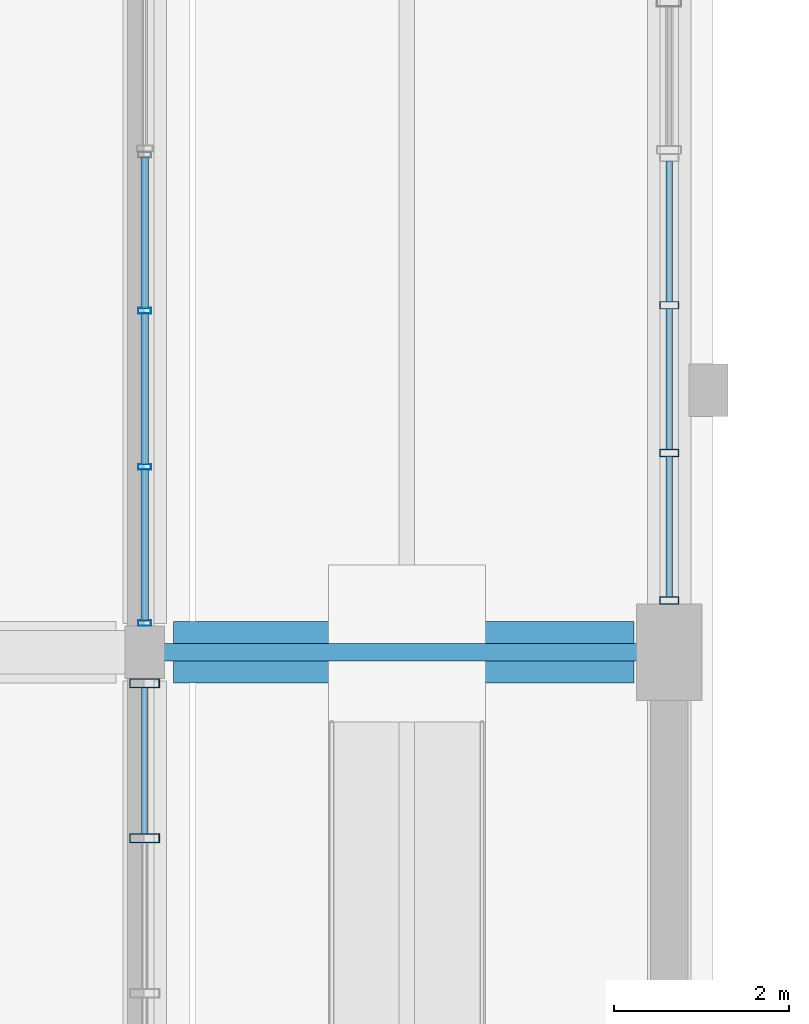
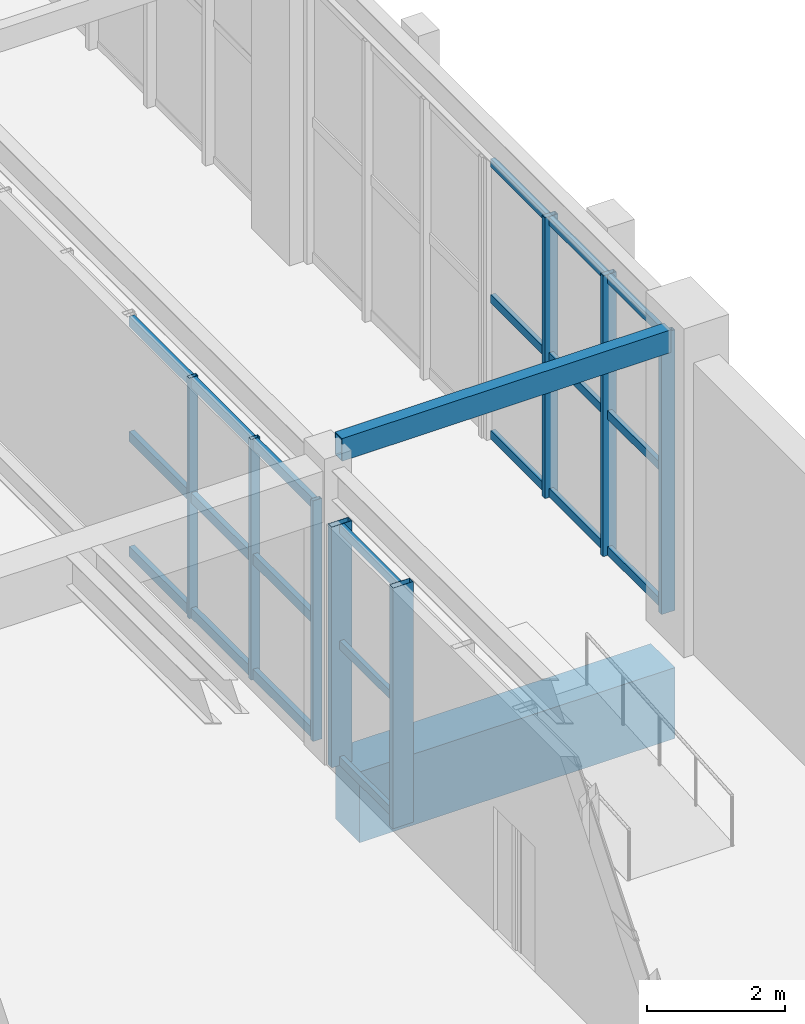
# One storey, part 29 of 113: 29 members, 2 beams, 3 elements without a shape of their own.
"""IFC4 building model written with IfcOpenShell, lengths in metres."""

from ifc_helpers import new_model, si_unit, direction, frame, origin, origin_2d, place, context, subcontext, project, spatial, rectangle, hollow_rectangle, extrude, material, layer, layer_set, material_profile, profile_set, type_object, element, aggregate, save


model = new_model("IFC4")

# Units and contexts
model_context = context("Model", 3, precision=1e-05, world=origin(), true_north=direction((0.0, 1.0)))
body_context = subcontext(model_context, "Body", "Model", "MODEL_VIEW")
ifc_project = project(units=[si_unit("LENGTHUNIT", "METRE"), si_unit("AREAUNIT", "SQUARE_METRE"), si_unit("VOLUMEUNIT", "CUBIC_METRE"), si_unit("PLANEANGLEUNIT", "RADIAN"), si_unit("MASSUNIT", "GRAM", prefix="KILO"), si_unit("POWERUNIT", "WATT"), si_unit("THERMODYNAMICTEMPERATUREUNIT", "KELVIN")], contexts=[model_context])

# Site, building, storey
site_placement = place(None, origin())
site = spatial("IfcSite", under=ifc_project, at=site_placement, CompositionType="ELEMENT")
building_placement = place(site_placement, origin())
building = spatial("IfcBuilding", under=site, at=building_placement, Name="Kelmbourne Parkland Aquatics Centre", CompositionType="ELEMENT")
storey_placement = place(building_placement, origin())
storey = spatial("IfcBuildingStorey", under=building, at=storey_placement, Name="L00", CompositionType="ELEMENT", Elevation=0.0)

# Beams
ifc_material_1 = material(Name="Concrete C50/60", Category="concrete")
ifc_material_profile_1 = material_profile(ifc_material_1, rectangle(XDim=0.699951171875, YDim=1.25, at=origin_2d()), Name="RC 700x1250")
ifc_profile_set_1 = profile_set([ifc_material_profile_1], Name="Concrete C50/60")
beam_type_1 = type_object("IfcBeamType", Name="BM-G08", PredefinedType="BEAM", material=ifc_profile_set_1)
beam_1_placement = place(storey_placement, frame((40.330078125, 35.0, -0.905029296875), z_axis=(1.0, 0.0, 0.0), x_axis=(0.0, 1.0, 0.0)))
element("IfcBeam", 1, at=beam_1_placement, inside=storey, type_object=beam_type_1, Name="Primary girder F-G Grid 05 (L00)", PredefinedType="BEAM", context=body_context, shape_type="SweptSolid", body=[
    extrude(rectangle(XDim=0.699951171875, YDim=1.25, at=origin_2d()), origin(), (0.0, 0.0, 1.0), 5.264892578125),
])
ifc_material_2 = material(Name="Cold-formed hollow steel AS/NZS 1163 C350L0", Category="steel")
ifc_material_profile_2 = material_profile(ifc_material_2, hollow_rectangle(XDim=0.199951171875, YDim=0.39990234375, WallThickness=0.012451171875, at=origin_2d()), Name="RHS 400x200x12.5")
ifc_profile_set_2 = profile_set([ifc_material_profile_2], Name="Cold-formed hollow steel AS/NZS 1163 C350L0")
beam_type_2 = type_object("IfcBeamType", Name="BM-SP03", PredefinedType="SPANDREL", material=ifc_profile_set_2)
beam_2_placement = place(storey_placement, frame((40.179931640625, 35.0, 5.300048828125), z_axis=(1.0, 0.0, 0.0), x_axis=(0.0, 1.0, 0.0)))
element("IfcBeam", 2, at=beam_2_placement, inside=storey, type_object=beam_type_2, Name="Colonnade cross spandrel F-G Grid 05", PredefinedType="SPANDREL", context=body_context, shape_type="SweptSolid", body=[
    extrude(hollow_rectangle(XDim=0.199951171875, YDim=0.39990234375, WallThickness=0.012451171875, at=origin_2d()), origin(), (0.0, 0.0, 1.0), 5.489990234375),
])

# Curtain wall, members
ifc_material_3 = material(Name="Thermally broken anodised aluminium framing", Category="aluminium")
ifc_layer_1 = layer(ifc_material_3, 0.179931640625)
ifc_layer_set_1 = layer_set([ifc_layer_1], Name="Thermally broken anodised aluminium framing")
curtain_wall_type_1 = type_object("IfcCurtainWallType", Name="CW-23", PredefinedType="NOTDEFINED", material=ifc_layer_set_1)
curtain_wall_1_placement = place(storey_placement, origin())
curtain_wall_1 = element("IfcCurtainWall", 3, at=curtain_wall_1_placement, inside=storey, type_object=curtain_wall_type_1, Name="Facade curtain wall CW-L00-215", PredefinedType="NOTDEFINED")
ifc_material_profile_3 = material_profile(ifc_material_3, hollow_rectangle(XDim=0.06494140625, YDim=0.14990234375, WallThickness=0.00390625, at=origin_2d()), Name="CW-M 65x150")
ifc_profile_set_3 = profile_set([ifc_material_profile_3], Name="Thermally broken anodised aluminium framing")
member_type_1 = type_object("IfcMemberType", Name="MB-MUL-1", PredefinedType="MULLION", material=ifc_profile_set_3)
member_1_placement = place(storey_placement, frame((40.0, 35.33447265625, 0.0), z_axis=(0.0, 0.0, 1.0), x_axis=(0.0, 1.0, 0.0)))
member_1 = element("IfcMember", 4, at=member_1_placement, type_object=member_type_1, Name="CW-L00-215 mullion 0", PredefinedType="MULLION", context=body_context, shape_type="SweptSolid", body=[
    extrude(hollow_rectangle(XDim=0.06494140625, YDim=0.14990234375, WallThickness=0.00390625, at=origin_2d()), origin(), (0.0, 0.0, 1.0), 4.2451171875),
])
member_2_placement = place(storey_placement, frame((40.0, 37.12060546875, 0.0), z_axis=(0.0, 0.0, 1.0), x_axis=(0.0, 1.0, 0.0)))
member_2 = element("IfcMember", 5, at=member_2_placement, type_object=member_type_1, Name="CW-L00-215 mullion 1", PredefinedType="MULLION", context=body_context, shape_type="SweptSolid", body=[
    extrude(hollow_rectangle(XDim=0.06494140625, YDim=0.14990234375, WallThickness=0.00390625, at=origin_2d()), origin(), (0.0, 0.0, 1.0), 4.2451171875),
])
member_3_placement = place(storey_placement, frame((40.0, 38.906494140625, 0.0), z_axis=(0.0, 0.0, 1.0), x_axis=(0.0, 1.0, 0.0)))
member_3 = element("IfcMember", 6, at=member_3_placement, type_object=member_type_1, Name="CW-L00-215 mullion 2", PredefinedType="MULLION", context=body_context, shape_type="SweptSolid", body=[
    extrude(hollow_rectangle(XDim=0.06494140625, YDim=0.14990234375, WallThickness=0.00390625, at=origin_2d()), origin(), (0.0, 0.0, 1.0), 4.2451171875),
])

ifc_layer_2 = layer(ifc_material_3, 0.179931640625)
ifc_layer_set_2 = layer_set([ifc_layer_2], Name="Thermally broken anodised aluminium framing")
curtain_wall_type_2 = type_object("IfcCurtainWallType", Name="CW-04", PredefinedType="NOTDEFINED", material=ifc_layer_set_2)
curtain_wall_2_placement = place(storey_placement, origin())
curtain_wall_2 = element("IfcCurtainWall", 7, at=curtain_wall_2_placement, inside=storey, type_object=curtain_wall_type_2, Name="Facade curtain wall CW-L00-172", PredefinedType="NOTDEFINED")
ifc_material_profile_4 = material_profile(ifc_material_3, hollow_rectangle(XDim=0.0849609375, YDim=0.219970703125, WallThickness=0.0048828125, at=origin_2d()), Name="CW-M 85x220")
ifc_profile_set_4 = profile_set([ifc_material_profile_4], Name="Thermally broken anodised aluminium framing")
member_type_2 = type_object("IfcMemberType", Name="MB-MUL-3", PredefinedType="MULLION", material=ifc_profile_set_4)
member_4_placement = place(storey_placement, frame((46.0, 35.594482421875, 0.0), z_axis=(0.0, 0.0, 1.0), x_axis=(0.0, 1.0, 0.0)))
member_4 = element("IfcMember", 8, at=member_4_placement, type_object=member_type_2, Name="CW-L00-172 mullion 0", PredefinedType="MULLION", context=body_context, shape_type="SweptSolid", body=[
    extrude(hollow_rectangle(XDim=0.0849609375, YDim=0.219970703125, WallThickness=0.0048828125, at=origin_2d()), origin(), (0.0, 0.0, 1.0), 4.951904296875),
])
member_5_placement = place(storey_placement, frame((46.0, 37.2822265625, 0.0), z_axis=(0.0, 0.0, 1.0), x_axis=(0.0, 1.0, 0.0)))
member_5 = element("IfcMember", 9, at=member_5_placement, type_object=member_type_2, Name="CW-L00-172 mullion 1", PredefinedType="MULLION", context=body_context, shape_type="SweptSolid", body=[
    extrude(hollow_rectangle(XDim=0.0849609375, YDim=0.219970703125, WallThickness=0.0048828125, at=origin_2d()), origin(), (0.0, 0.0, 1.0), 4.951904296875),
])
member_6_placement = place(storey_placement, frame((46.0, 38.9697265625, 0.0), z_axis=(0.0, 0.0, 1.0), x_axis=(0.0, 1.0, 0.0)))
member_6 = element("IfcMember", 10, at=member_6_placement, type_object=member_type_2, Name="CW-L00-172 mullion 2", PredefinedType="MULLION", context=body_context, shape_type="SweptSolid", body=[
    extrude(hollow_rectangle(XDim=0.0849609375, YDim=0.219970703125, WallThickness=0.0048828125, at=origin_2d()), origin(), (0.0, 0.0, 1.0), 4.951904296875),
])

ifc_layer_3 = layer(ifc_material_3, 0.179931640625)
ifc_layer_set_3 = layer_set([ifc_layer_3], Name="Thermally broken anodised aluminium framing")
curtain_wall_type_3 = type_object("IfcCurtainWallType", Name="CW-22", PredefinedType="NOTDEFINED", material=ifc_layer_set_3)
curtain_wall_3_placement = place(storey_placement, origin())
curtain_wall_3 = element("IfcCurtainWall", 11, at=curtain_wall_3_placement, inside=storey, type_object=curtain_wall_type_3, Name="Facade curtain wall CW-L00-214", PredefinedType="NOTDEFINED")
ifc_material_profile_5 = material_profile(ifc_material_3, hollow_rectangle(XDim=0.10498046875, YDim=0.340087890625, WallThickness=0.006103515625, at=origin_2d()), Name="CW-M 105x340")
ifc_profile_set_5 = profile_set([ifc_material_profile_5], Name="Thermally broken anodised aluminium framing")
member_type_3 = type_object("IfcMemberType", Name="MB-MUL-5", PredefinedType="MULLION", material=ifc_profile_set_5)
member_7_placement = place(storey_placement, frame((40.0, 32.872802734375, 0.0), z_axis=(0.0, 0.0, 1.0), x_axis=(0.0, 1.0, 0.0)))
member_7 = element("IfcMember", 12, at=member_7_placement, type_object=member_type_3, Name="CW-L00-214 mullion 2", PredefinedType="MULLION", context=body_context, shape_type="SweptSolid", body=[
    extrude(hollow_rectangle(XDim=0.10498046875, YDim=0.340087890625, WallThickness=0.006103515625, at=origin_2d()), origin(), (0.0, 0.0, 1.0), 4.2451171875),
])
member_8_placement = place(storey_placement, frame((40.0, 34.6455078125, 0.0), z_axis=(0.0, 0.0, 1.0), x_axis=(0.0, 1.0, 0.0)))
member_8 = element("IfcMember", 13, at=member_8_placement, type_object=member_type_3, Name="CW-L00-214 mullion 3", PredefinedType="MULLION", context=body_context, shape_type="SweptSolid", body=[
    extrude(hollow_rectangle(XDim=0.10498046875, YDim=0.340087890625, WallThickness=0.006103515625, at=origin_2d()), origin(), (0.0, 0.0, 1.0), 4.2451171875),
])

# Member
ifc_material_profile_6 = material_profile(ifc_material_3, hollow_rectangle(XDim=0.074951171875, YDim=0.14990234375, WallThickness=0.00390625, at=origin_2d()), Name="CW-T 75x150")
ifc_profile_set_6 = profile_set([ifc_material_profile_6], Name="Thermally broken anodised aluminium framing")
member_type_4 = type_object("IfcMemberType", Name="MB-TRN-2", PredefinedType="USERDEFINED", material=ifc_profile_set_6)
member_9_placement = place(storey_placement, frame((46.0, 35.633056640625, 0.077880859375), z_axis=(0.0, 1.0, 0.0), x_axis=(-1.0, 0.0, 0.0)))
member_9 = element("IfcMember", 14, at=member_9_placement, type_object=member_type_4, Name="CW-L00-172 transom 0-0", ObjectType="TRANSOM", PredefinedType="USERDEFINED", context=body_context, shape_type="SweptSolid", body=[
    extrude(hollow_rectangle(XDim=0.074951171875, YDim=0.14990234375, WallThickness=0.00390625, at=origin_2d()), origin(), (0.0, 0.0, 1.0), 1.610595703125),
])

member_10_placement = place(storey_placement, frame((46.0, 37.32080078125, 0.077880859375), z_axis=(0.0, 1.0, 0.0), x_axis=(-1.0, 0.0, 0.0)))
member_10 = element("IfcMember", 15, at=member_10_placement, type_object=member_type_4, Name="CW-L00-172 transom 0-1", ObjectType="TRANSOM", PredefinedType="USERDEFINED", context=body_context, shape_type="SweptSolid", body=[
    extrude(hollow_rectangle(XDim=0.074951171875, YDim=0.14990234375, WallThickness=0.00390625, at=origin_2d()), origin(), (0.0, 0.0, 1.0), 1.610595703125),
])

member_11_placement = place(storey_placement, frame((46.0, 39.00830078125, 0.077880859375), z_axis=(0.0, 1.0, 0.0), x_axis=(-1.0, 0.0, 0.0)))
member_11 = element("IfcMember", 16, at=member_11_placement, type_object=member_type_4, Name="CW-L00-172 transom 0-2", ObjectType="TRANSOM", PredefinedType="USERDEFINED", context=body_context, shape_type="SweptSolid", body=[
    extrude(hollow_rectangle(XDim=0.074951171875, YDim=0.14990234375, WallThickness=0.00390625, at=origin_2d()), origin(), (0.0, 0.0, 1.0), 1.610595703125),
])

member_12_placement = place(storey_placement, frame((46.0, 35.633056640625, 2.47607421875), z_axis=(0.0, 1.0, 0.0), x_axis=(-1.0, 0.0, 0.0)))
member_12 = element("IfcMember", 17, at=member_12_placement, type_object=member_type_4, Name="CW-L00-172 transom 1-0", ObjectType="TRANSOM", PredefinedType="USERDEFINED", context=body_context, shape_type="SweptSolid", body=[
    extrude(hollow_rectangle(XDim=0.074951171875, YDim=0.14990234375, WallThickness=0.00390625, at=origin_2d()), origin(), (0.0, 0.0, 1.0), 1.610595703125),
])

member_13_placement = place(storey_placement, frame((46.0, 37.32080078125, 2.47607421875), z_axis=(0.0, 1.0, 0.0), x_axis=(-1.0, 0.0, 0.0)))
member_13 = element("IfcMember", 18, at=member_13_placement, type_object=member_type_4, Name="CW-L00-172 transom 1-1", ObjectType="TRANSOM", PredefinedType="USERDEFINED", context=body_context, shape_type="SweptSolid", body=[
    extrude(hollow_rectangle(XDim=0.074951171875, YDim=0.14990234375, WallThickness=0.00390625, at=origin_2d()), origin(), (0.0, 0.0, 1.0), 1.610595703125),
])

member_14_placement = place(storey_placement, frame((46.0, 39.00830078125, 2.47607421875), z_axis=(0.0, 1.0, 0.0), x_axis=(-1.0, 0.0, 0.0)))
member_14 = element("IfcMember", 19, at=member_14_placement, type_object=member_type_4, Name="CW-L00-172 transom 1-2", ObjectType="TRANSOM", PredefinedType="USERDEFINED", context=body_context, shape_type="SweptSolid", body=[
    extrude(hollow_rectangle(XDim=0.074951171875, YDim=0.14990234375, WallThickness=0.00390625, at=origin_2d()), origin(), (0.0, 0.0, 1.0), 1.610595703125),
])

member_15_placement = place(storey_placement, frame((46.0, 35.633056640625, 4.8740234375), z_axis=(0.0, 1.0, 0.0), x_axis=(-1.0, 0.0, 0.0)))
member_15 = element("IfcMember", 20, at=member_15_placement, type_object=member_type_4, Name="CW-L00-172 transom 2-0", ObjectType="TRANSOM", PredefinedType="USERDEFINED", context=body_context, shape_type="SweptSolid", body=[
    extrude(hollow_rectangle(XDim=0.074951171875, YDim=0.14990234375, WallThickness=0.00390625, at=origin_2d()), origin(), (0.0, 0.0, 1.0), 1.610595703125),
])

member_16_placement = place(storey_placement, frame((46.0, 37.32080078125, 4.8740234375), z_axis=(0.0, 1.0, 0.0), x_axis=(-1.0, 0.0, 0.0)))
member_16 = element("IfcMember", 21, at=member_16_placement, type_object=member_type_4, Name="CW-L00-172 transom 2-1", ObjectType="TRANSOM", PredefinedType="USERDEFINED", context=body_context, shape_type="SweptSolid", body=[
    extrude(hollow_rectangle(XDim=0.074951171875, YDim=0.14990234375, WallThickness=0.00390625, at=origin_2d()), origin(), (0.0, 0.0, 1.0), 1.610595703125),
])

member_17_placement = place(storey_placement, frame((46.0, 39.00830078125, 4.8740234375), z_axis=(0.0, 1.0, 0.0), x_axis=(-1.0, 0.0, 0.0)))
member_17 = element("IfcMember", 22, at=member_17_placement, type_object=member_type_4, Name="CW-L00-172 transom 2-2", ObjectType="TRANSOM", PredefinedType="USERDEFINED", context=body_context, shape_type="SweptSolid", body=[
    extrude(hollow_rectangle(XDim=0.074951171875, YDim=0.14990234375, WallThickness=0.00390625, at=origin_2d()), origin(), (0.0, 0.0, 1.0), 1.610595703125),
])

aggregate(curtain_wall_2, [member_4, member_5, member_6, member_9, member_10, member_11, member_12, member_13, member_14, member_15, member_16, member_17])

member_18_placement = place(storey_placement, frame((40.0, 32.92138671875, 0.077880859375), z_axis=(0.0, 1.0, 0.0), x_axis=(-1.0, 0.0, 0.0)))
member_18 = element("IfcMember", 23, at=member_18_placement, type_object=member_type_4, Name="CW-L00-214 transom 0-2", ObjectType="TRANSOM", PredefinedType="USERDEFINED", context=body_context, shape_type="SweptSolid", body=[
    extrude(hollow_rectangle(XDim=0.074951171875, YDim=0.14990234375, WallThickness=0.00390625, at=origin_2d()), origin(), (0.0, 0.0, 1.0), 1.675537109375),
])

member_19_placement = place(storey_placement, frame((40.0, 32.92138671875, 2.12255859375), z_axis=(0.0, 1.0, 0.0), x_axis=(-1.0, 0.0, 0.0)))
member_19 = element("IfcMember", 24, at=member_19_placement, type_object=member_type_4, Name="CW-L00-214 transom 1-2", ObjectType="TRANSOM", PredefinedType="USERDEFINED", context=body_context, shape_type="SweptSolid", body=[
    extrude(hollow_rectangle(XDim=0.074951171875, YDim=0.14990234375, WallThickness=0.00390625, at=origin_2d()), origin(), (0.0, 0.0, 1.0), 1.675537109375),
])

member_20_placement = place(storey_placement, frame((40.0, 32.92138671875, 4.1669921875), z_axis=(0.0, 1.0, 0.0), x_axis=(-1.0, 0.0, 0.0)))
member_20 = element("IfcMember", 25, at=member_20_placement, type_object=member_type_4, Name="CW-L00-214 transom 2-2", ObjectType="TRANSOM", PredefinedType="USERDEFINED", context=body_context, shape_type="SweptSolid", body=[
    extrude(hollow_rectangle(XDim=0.074951171875, YDim=0.14990234375, WallThickness=0.00390625, at=origin_2d()), origin(), (0.0, 0.0, 1.0), 1.675537109375),
])

aggregate(curtain_wall_3, [member_7, member_8, member_18, member_19, member_20])

ifc_material_profile_7 = material_profile(ifc_material_3, hollow_rectangle(XDim=0.0849609375, YDim=0.179931640625, WallThickness=0.00439453125, at=origin_2d()), Name="CW-T 85x180")
ifc_profile_set_7 = profile_set([ifc_material_profile_7], Name="Thermally broken anodised aluminium framing")
member_type_5 = type_object("IfcMemberType", Name="MB-TRN-3", PredefinedType="USERDEFINED", material=ifc_profile_set_7)
member_21_placement = place(storey_placement, frame((40.0, 35.363037109375, 0.093017578125), z_axis=(0.0, 1.0, 0.0), x_axis=(-1.0, 0.0, 0.0)))
member_21 = element("IfcMember", 26, at=member_21_placement, type_object=member_type_5, Name="CW-L00-215 transom 0-0", ObjectType="TRANSOM", PredefinedType="USERDEFINED", context=body_context, shape_type="SweptSolid", body=[
    extrude(hollow_rectangle(XDim=0.0849609375, YDim=0.179931640625, WallThickness=0.00439453125, at=origin_2d()), origin(), (0.0, 0.0, 1.0), 1.72900390625),
])

member_22_placement = place(storey_placement, frame((40.0, 37.14892578125, 0.093017578125), z_axis=(0.0, 1.0, 0.0), x_axis=(-1.0, 0.0, 0.0)))
member_22 = element("IfcMember", 27, at=member_22_placement, type_object=member_type_5, Name="CW-L00-215 transom 0-1", ObjectType="TRANSOM", PredefinedType="USERDEFINED", context=body_context, shape_type="SweptSolid", body=[
    extrude(hollow_rectangle(XDim=0.0849609375, YDim=0.179931640625, WallThickness=0.00439453125, at=origin_2d()), origin(), (0.0, 0.0, 1.0), 1.72900390625),
])

member_23_placement = place(storey_placement, frame((40.0, 38.93505859375, 0.093017578125), z_axis=(0.0, 1.0, 0.0), x_axis=(-1.0, 0.0, 0.0)))
member_23 = element("IfcMember", 28, at=member_23_placement, type_object=member_type_5, Name="CW-L00-215 transom 0-2", ObjectType="TRANSOM", PredefinedType="USERDEFINED", context=body_context, shape_type="SweptSolid", body=[
    extrude(hollow_rectangle(XDim=0.0849609375, YDim=0.179931640625, WallThickness=0.00439453125, at=origin_2d()), origin(), (0.0, 0.0, 1.0), 1.72900390625),
])

member_24_placement = place(storey_placement, frame((40.0, 35.363037109375, 2.12255859375), z_axis=(0.0, 1.0, 0.0), x_axis=(-1.0, 0.0, 0.0)))
member_24 = element("IfcMember", 29, at=member_24_placement, type_object=member_type_5, Name="CW-L00-215 transom 1-0", ObjectType="TRANSOM", PredefinedType="USERDEFINED", context=body_context, shape_type="SweptSolid", body=[
    extrude(hollow_rectangle(XDim=0.0849609375, YDim=0.179931640625, WallThickness=0.00439453125, at=origin_2d()), origin(), (0.0, 0.0, 1.0), 1.72900390625),
])

member_25_placement = place(storey_placement, frame((40.0, 37.14892578125, 2.12255859375), z_axis=(0.0, 1.0, 0.0), x_axis=(-1.0, 0.0, 0.0)))
member_25 = element("IfcMember", 30, at=member_25_placement, type_object=member_type_5, Name="CW-L00-215 transom 1-1", ObjectType="TRANSOM", PredefinedType="USERDEFINED", context=body_context, shape_type="SweptSolid", body=[
    extrude(hollow_rectangle(XDim=0.0849609375, YDim=0.179931640625, WallThickness=0.00439453125, at=origin_2d()), origin(), (0.0, 0.0, 1.0), 1.72900390625),
])

member_26_placement = place(storey_placement, frame((40.0, 38.93505859375, 2.12255859375), z_axis=(0.0, 1.0, 0.0), x_axis=(-1.0, 0.0, 0.0)))
member_26 = element("IfcMember", 31, at=member_26_placement, type_object=member_type_5, Name="CW-L00-215 transom 1-2", ObjectType="TRANSOM", PredefinedType="USERDEFINED", context=body_context, shape_type="SweptSolid", body=[
    extrude(hollow_rectangle(XDim=0.0849609375, YDim=0.179931640625, WallThickness=0.00439453125, at=origin_2d()), origin(), (0.0, 0.0, 1.0), 1.72900390625),
])

member_27_placement = place(storey_placement, frame((40.0, 35.363037109375, 4.152099609375), z_axis=(0.0, 1.0, 0.0), x_axis=(-1.0, 0.0, 0.0)))
member_27 = element("IfcMember", 32, at=member_27_placement, type_object=member_type_5, Name="CW-L00-215 transom 2-0", ObjectType="TRANSOM", PredefinedType="USERDEFINED", context=body_context, shape_type="SweptSolid", body=[
    extrude(hollow_rectangle(XDim=0.0849609375, YDim=0.179931640625, WallThickness=0.00439453125, at=origin_2d()), origin(), (0.0, 0.0, 1.0), 1.72900390625),
])

member_28_placement = place(storey_placement, frame((40.0, 37.14892578125, 4.152099609375), z_axis=(0.0, 1.0, 0.0), x_axis=(-1.0, 0.0, 0.0)))
member_28 = element("IfcMember", 33, at=member_28_placement, type_object=member_type_5, Name="CW-L00-215 transom 2-1", ObjectType="TRANSOM", PredefinedType="USERDEFINED", context=body_context, shape_type="SweptSolid", body=[
    extrude(hollow_rectangle(XDim=0.0849609375, YDim=0.179931640625, WallThickness=0.00439453125, at=origin_2d()), origin(), (0.0, 0.0, 1.0), 1.72900390625),
])

member_29_placement = place(storey_placement, frame((40.0, 38.93505859375, 4.152099609375), z_axis=(0.0, 1.0, 0.0), x_axis=(-1.0, 0.0, 0.0)))
member_29 = element("IfcMember", 34, at=member_29_placement, type_object=member_type_5, Name="CW-L00-215 transom 2-2", ObjectType="TRANSOM", PredefinedType="USERDEFINED", context=body_context, shape_type="SweptSolid", body=[
    extrude(hollow_rectangle(XDim=0.0849609375, YDim=0.179931640625, WallThickness=0.00439453125, at=origin_2d()), origin(), (0.0, 0.0, 1.0), 1.72900390625),
])

aggregate(curtain_wall_1, [member_1, member_2, member_3, member_21, member_22, member_23, member_24, member_25, member_26, member_27, member_28, member_29])

save(model, "model.ifc")
